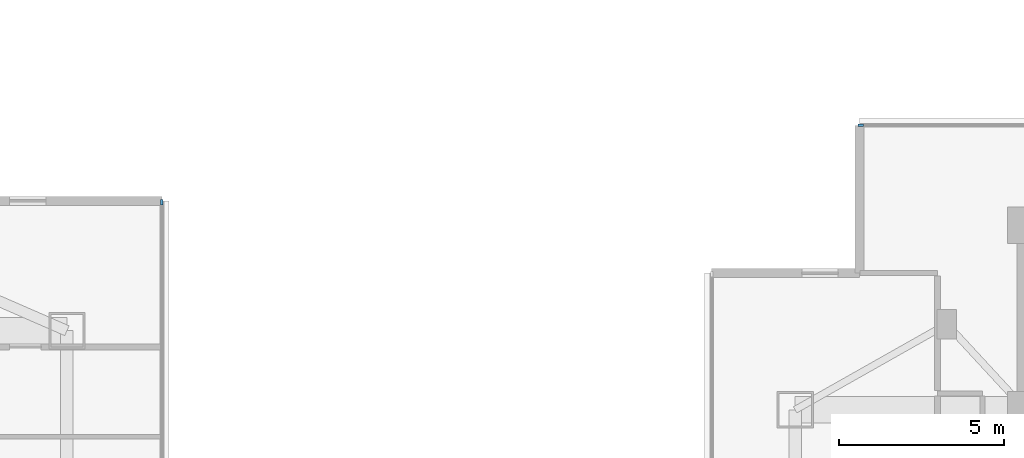
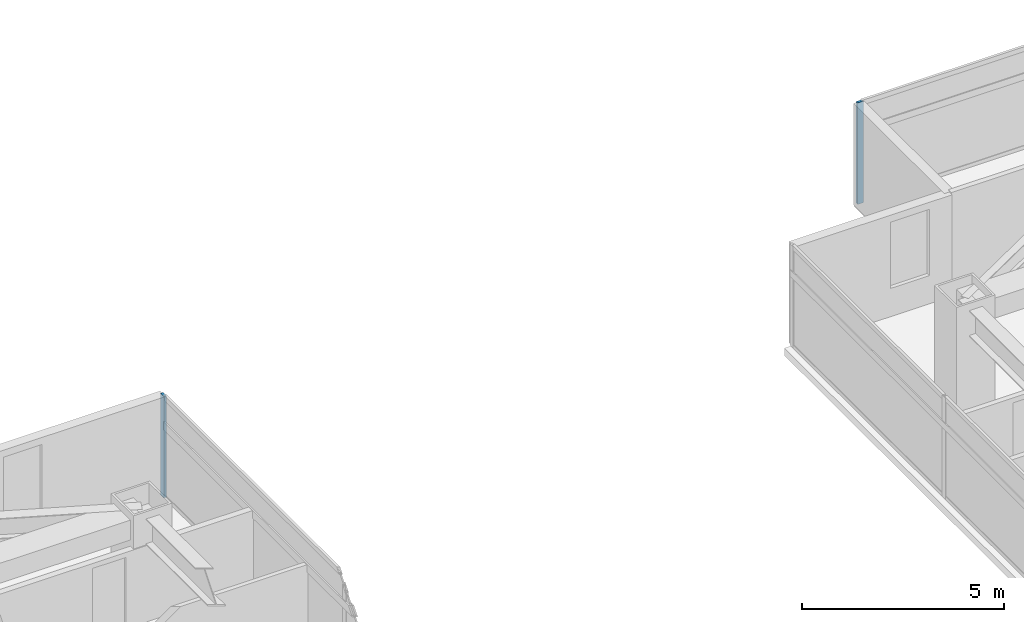
# One storey, part 7 of 24: 2 members, 2 elements without a shape of their own.
"""IFC4 building model written with IfcOpenShell, lengths in metres."""

from ifc_helpers import new_model, si_unit, direction, frame, origin, origin_2d, place, context, subcontext, project, spatial, rectangle, extrude, material, material_profile, profile_set, type_object, element, aggregate, save


model = new_model("IFC4")

# Units and contexts
model_context = context("Model", 3, precision=1e-05, world=origin(), true_north=direction((0.0, 1.0)))
body_context = subcontext(model_context, "Body", "Model", "MODEL_VIEW")
ifc_project = project(units=[si_unit("LENGTHUNIT", "METRE"), si_unit("AREAUNIT", "SQUARE_METRE"), si_unit("VOLUMEUNIT", "CUBIC_METRE"), si_unit("PLANEANGLEUNIT", "RADIAN"), si_unit("MASSUNIT", "GRAM", prefix="KILO")], contexts=[model_context])

# Site, building, storey
site_placement = place(None, origin())
site = spatial("IfcSite", under=ifc_project, at=site_placement, CompositionType="ELEMENT")
building_placement = place(site_placement, origin())
building = spatial("IfcBuilding", under=site, at=building_placement, Name="Mirazonda Arch Towers", CompositionType="ELEMENT")
storey_placement = place(building_placement, frame((0.0, 0.0, 134.60009765625)))
storey = spatial("IfcBuildingStorey", under=building, at=storey_placement, Name="L38", CompositionType="ELEMENT", Elevation=134.60009765625)

# Curtain wall, member
ifc_material_1 = material(Name="Anodised Aluminium and Low-E Glass", Category="aluminium")
curtain_wall_type = type_object("IfcCurtainWallType", Name="CW-HTL-UNIT", PredefinedType="NOTDEFINED", material=ifc_material_1)
curtain_wall_1_placement = place(storey_placement, origin())
curtain_wall_1 = element("IfcCurtainWall", 1, at=curtain_wall_1_placement, inside=storey, type_object=curtain_wall_type, Name="L38 T1 E Facade CW-L38-T1-E", PredefinedType="NOTDEFINED")
ifc_material_2 = material(Name="Anodised Aluminium Alloy", Category="aluminium")
ifc_material_profile = material_profile(ifc_material_2, rectangle(XDim=0.074951171875, YDim=0.1650390625, at=origin_2d()), Name="ALU-MULL-75x165")
ifc_profile_set = profile_set([ifc_material_profile], Name="Anodised Aluminium Alloy")
member_type = type_object("IfcMemberType", Name="MULL-CW-HTL-UNIT", PredefinedType="MULLION", material=ifc_profile_set)
member_1_placement = place(storey_placement, frame((41.780029296875, 41.50244140625, 0.0), z_axis=(0.0, 0.0, 1.0), x_axis=(-1.0, 0.0, 0.0)))
member_1 = element("IfcMember", 2, at=member_1_placement, type_object=member_type, Name="CW-112 mullion 4", PredefinedType="MULLION", context=body_context, shape_type="SweptSolid", body=[
    extrude(rectangle(XDim=0.074951171875, YDim=0.1650390625, at=origin_2d()), origin(), (0.0, 0.0, 1.0), 3.059814453125),
])
aggregate(curtain_wall_1, [member_1])

curtain_wall_2_placement = place(storey_placement, origin())
curtain_wall_2 = element("IfcCurtainWall", 3, at=curtain_wall_2_placement, inside=storey, type_object=curtain_wall_type, Name="L38 T2 N Facade CW-L38-T2-N", PredefinedType="NOTDEFINED")
member_2_placement = place(storey_placement, frame((62.989013671875, 43.83544921875, 0.0), z_axis=(0.0, 0.0, 1.0), x_axis=(0.0, 1.0, 0.0)))
member_2 = element("IfcMember", 4, at=member_2_placement, type_object=member_type, Name="CW-112 mullion 1", PredefinedType="MULLION", context=body_context, shape_type="SweptSolid", body=[
    extrude(rectangle(XDim=0.074951171875, YDim=0.1650390625, at=origin_2d()), origin(), (0.0, 0.0, 1.0), 3.059814453125),
])
aggregate(curtain_wall_2, [member_2])

save(model, "model.ifc")
